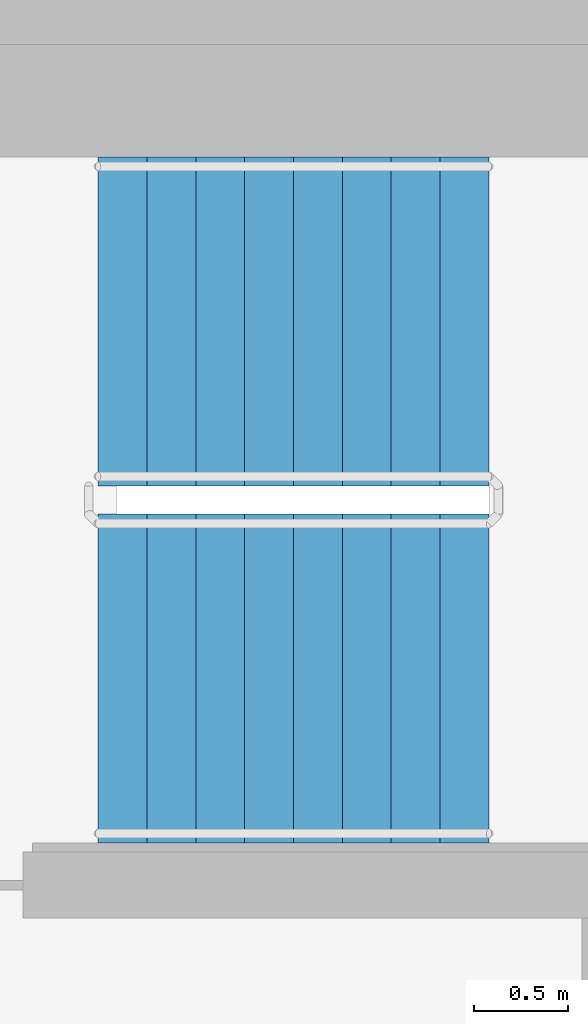
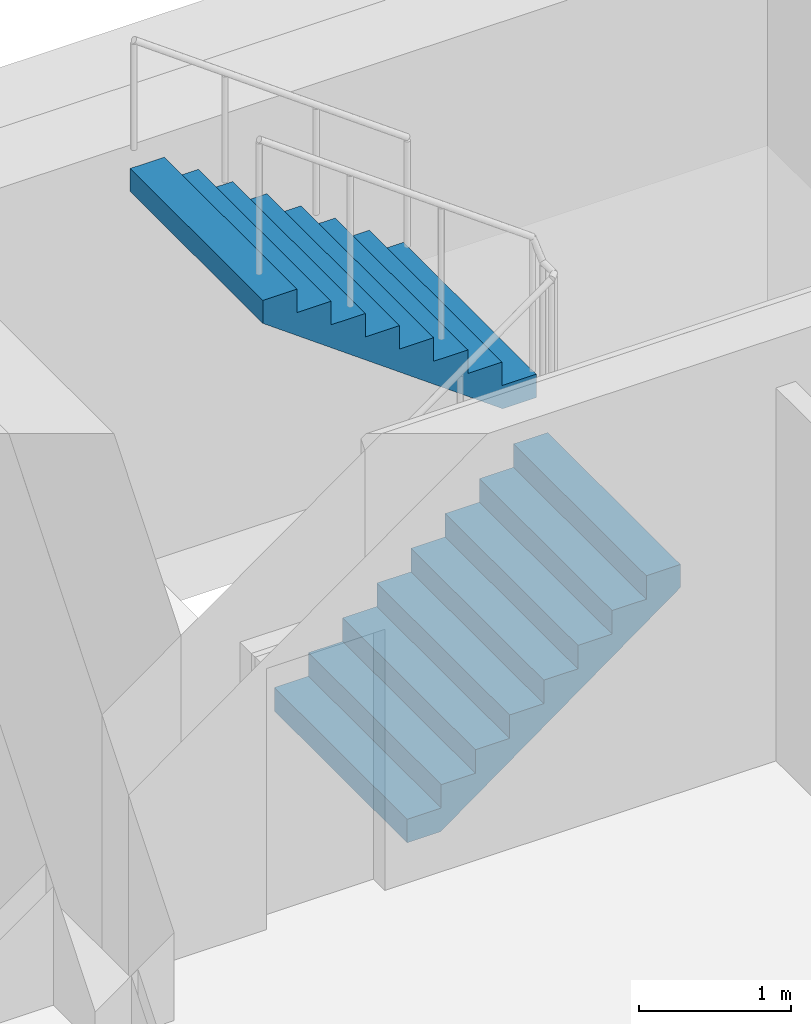
# One storey, part 13 of 18: 2 stair flights, 1 element without a shape of its own.
"""IFC4 building model written with IfcOpenShell, lengths in metres."""

from ifc_helpers import new_model, si_unit, direction, frame, origin, place, context, subcontext, project, spatial, faceted_brep, material, type_object, element, aggregate, save


model = new_model("IFC4")

# Units and contexts
model_context = context("Model", 3, precision=1e-05, world=origin(), true_north=direction((0.0, 1.0)))
body_context = subcontext(model_context, "Body", "Model", "MODEL_VIEW")
ifc_project = project(units=[si_unit("LENGTHUNIT", "METRE"), si_unit("AREAUNIT", "SQUARE_METRE"), si_unit("VOLUMEUNIT", "CUBIC_METRE"), si_unit("PLANEANGLEUNIT", "RADIAN"), si_unit("MASSUNIT", "GRAM", prefix="KILO")], contexts=[model_context])

# Site, building, storey
site_placement = place(None, origin())
site = spatial("IfcSite", under=ifc_project, at=site_placement, CompositionType="ELEMENT")
building_placement = place(site_placement, origin())
building = spatial("IfcBuilding", under=site, at=building_placement, Name="Ipe Terrace Towers", CompositionType="ELEMENT")
storey_placement = place(building_placement, frame((0.0, 0.0, 196.0)))
storey = spatial("IfcBuildingStorey", under=building, at=storey_placement, Name="L54", CompositionType="ELEMENT", Elevation=196.0)

# Stair, stair flights
ifc_material_1 = material(Name="Concrete C30/37", Category="concrete")
stair_type = type_object("IfcStairType", Name="Protected exit stair", PredefinedType="HALF_TURN_STAIR", material=ifc_material_1)
stair_placement = place(storey_placement, origin())
stair = element("IfcStair", 1, at=stair_placement, inside=storey, type_object=stair_type, Name="L54 Exit stair T1-C1", PredefinedType="HALF_TURN_STAIR")
ifc_material_2 = material(Name="Concrete C30/37", Category="concrete")
stair_flight_type = type_object("IfcStairFlightType", Name="Exit stair flight 1750", PredefinedType="STRAIGHT", material=ifc_material_2)
stair_flight_1_placement = place(storey_placement, frame((-26.300048828125, 2.77490234375, 0.0), z_axis=(0.0, 0.0, 1.0), x_axis=(1.0, 0.0, 0.0)))
stair_flight_1 = element("IfcStairFlight", 2, at=stair_flight_1_placement, type_object=stair_flight_type, Name="T1-ST1 flight 1", NumberOfRisers=9, NumberOfTreads=8, PredefinedType="STRAIGHT", RiserHeight=0.188888889, TreadLength=0.26, context=body_context, shape_type="Brep", body=[
    faceted_brep([(0.255126953125, -0.875, 0.0), (2.080078125, -0.875, 1.325927734375), (2.080078125, -0.875, 1.51123046875), (1.820068359375, -0.875, 1.51123046875), (1.820068359375, -0.875, 1.322265625), (1.56005859375, -0.875, 1.322265625), (1.56005859375, -0.875, 1.13330078125), (1.300048828125, -0.875, 1.13330078125), (1.300048828125, -0.875, 0.9443359375), (1.0400390625, -0.875, 0.9443359375), (1.0400390625, -0.875, 0.755615234375), (0.780029296875, -0.875, 0.755615234375), (0.780029296875, -0.875, 0.566650390625), (0.52001953125, -0.875, 0.566650390625), (0.52001953125, -0.875, 0.377685546875), (0.260009765625, -0.875, 0.377685546875), (0.260009765625, -0.875, 0.18896484375), (0.0, -0.875, 0.18896484375), (0.0, -0.875, 0.0), (0.0, 0.875, 0.0), (0.0, 0.875, 0.18896484375), (0.260009765625, 0.875, 0.18896484375), (0.260009765625, 0.875, 0.377685546875), (0.52001953125, 0.875, 0.377685546875), (0.52001953125, 0.875, 0.566650390625), (0.780029296875, 0.875, 0.566650390625), (0.780029296875, 0.875, 0.755615234375), (1.0400390625, 0.875, 0.755615234375), (1.0400390625, 0.875, 0.9443359375), (1.300048828125, 0.875, 0.9443359375), (1.300048828125, 0.875, 1.13330078125), (1.56005859375, 0.875, 1.13330078125), (1.56005859375, 0.875, 1.322265625), (1.820068359375, 0.875, 1.322265625), (1.820068359375, 0.875, 1.51123046875), (2.080078125, 0.875, 1.51123046875), (2.080078125, 0.875, 1.325927734375), (0.255126953125, 0.875, 0.0), (0.0, -0.300048828125, 0.18896484375), (0.0, -0.1201171875, 0.18896484375), (0.0, -0.06005859375, 0.18896484375), (0.0, -0.030029296875, 0.18896484375), (0.0, -0.010009765625, 0.18896484375), (0.0, 0.0, 0.18896484375), (0.0, 0.010009765625, 0.18896484375), (0.0, 0.030029296875, 0.18896484375), (0.0, 0.06005859375, 0.18896484375), (0.0, 0.1201171875, 0.18896484375), (0.0, 0.300048828125, 0.18896484375), (0.0, 0.300048828125, 0.0), (0.0, 0.1201171875, 0.0), (0.0, 0.06005859375, 0.0), (0.0, 0.030029296875, 0.0), (0.0, 0.010009765625, 0.0), (0.0, 0.0, 0.0), (0.0, -0.010009765625, 0.0), (0.0, -0.030029296875, 0.0), (0.0, -0.06005859375, 0.0), (0.0, -0.1201171875, 0.0), (0.0, -0.300048828125, 0.0), (0.260009765625, -0.300048828125, 0.18896484375), (0.260009765625, -0.1201171875, 0.18896484375), (0.260009765625, -0.06005859375, 0.18896484375), (0.260009765625, -0.030029296875, 0.18896484375), (0.260009765625, -0.010009765625, 0.18896484375), (0.260009765625, 0.0, 0.18896484375), (0.260009765625, 0.010009765625, 0.18896484375), (0.260009765625, 0.030029296875, 0.18896484375), (0.260009765625, 0.06005859375, 0.18896484375), (0.260009765625, 0.1201171875, 0.18896484375), (0.260009765625, 0.300048828125, 0.18896484375), (0.260009765625, -0.300048828125, 0.377685546875), (0.260009765625, -0.1201171875, 0.377685546875), (0.260009765625, -0.06005859375, 0.377685546875), (0.260009765625, -0.030029296875, 0.377685546875), (0.260009765625, -0.010009765625, 0.377685546875), (0.260009765625, 0.0, 0.377685546875), (0.260009765625, 0.010009765625, 0.377685546875), (0.260009765625, 0.030029296875, 0.377685546875), (0.260009765625, 0.06005859375, 0.377685546875), (0.260009765625, 0.1201171875, 0.377685546875), (0.260009765625, 0.300048828125, 0.377685546875), (0.52001953125, -0.300048828125, 0.377685546875), (0.52001953125, -0.1201171875, 0.377685546875), (0.52001953125, -0.06005859375, 0.377685546875), (0.52001953125, -0.030029296875, 0.377685546875), (0.52001953125, -0.010009765625, 0.377685546875), (0.52001953125, 0.0, 0.377685546875), (0.52001953125, 0.010009765625, 0.377685546875), (0.52001953125, 0.030029296875, 0.377685546875), (0.52001953125, 0.06005859375, 0.377685546875), (0.52001953125, 0.1201171875, 0.377685546875), (0.52001953125, 0.300048828125, 0.377685546875), (0.52001953125, -0.300048828125, 0.566650390625), (0.52001953125, -0.1201171875, 0.566650390625), (0.52001953125, -0.06005859375, 0.566650390625), (0.52001953125, -0.030029296875, 0.566650390625), (0.52001953125, -0.010009765625, 0.566650390625), (0.52001953125, 0.0, 0.566650390625), (0.52001953125, 0.010009765625, 0.566650390625), (0.52001953125, 0.030029296875, 0.566650390625), (0.52001953125, 0.06005859375, 0.566650390625), (0.52001953125, 0.1201171875, 0.566650390625), (0.52001953125, 0.300048828125, 0.566650390625), (0.780029296875, -0.300048828125, 0.566650390625), (0.780029296875, -0.1201171875, 0.566650390625), (0.780029296875, -0.06005859375, 0.566650390625), (0.780029296875, -0.030029296875, 0.566650390625), (0.780029296875, -0.010009765625, 0.566650390625), (0.780029296875, 0.0, 0.566650390625), (0.780029296875, 0.010009765625, 0.566650390625), (0.780029296875, 0.030029296875, 0.566650390625), (0.780029296875, 0.06005859375, 0.566650390625), (0.780029296875, 0.1201171875, 0.566650390625), (0.780029296875, 0.300048828125, 0.566650390625), (0.780029296875, -0.300048828125, 0.755615234375), (0.780029296875, -0.1201171875, 0.755615234375), (0.780029296875, -0.06005859375, 0.755615234375), (0.780029296875, -0.030029296875, 0.755615234375), (0.780029296875, -0.010009765625, 0.755615234375), (0.780029296875, 0.0, 0.755615234375), (0.780029296875, 0.010009765625, 0.755615234375), (0.780029296875, 0.030029296875, 0.755615234375), (0.780029296875, 0.06005859375, 0.755615234375), (0.780029296875, 0.1201171875, 0.755615234375), (0.780029296875, 0.300048828125, 0.755615234375), (1.0400390625, -0.300048828125, 0.755615234375), (1.0400390625, -0.1201171875, 0.755615234375), (1.0400390625, -0.06005859375, 0.755615234375), (1.0400390625, -0.030029296875, 0.755615234375), (1.0400390625, -0.010009765625, 0.755615234375), (1.0400390625, 0.0, 0.755615234375), (1.0400390625, 0.010009765625, 0.755615234375), (1.0400390625, 0.030029296875, 0.755615234375), (1.0400390625, 0.06005859375, 0.755615234375), (1.0400390625, 0.1201171875, 0.755615234375), (1.0400390625, 0.300048828125, 0.755615234375), (1.0400390625, -0.300048828125, 0.9443359375), (1.0400390625, -0.1201171875, 0.9443359375), (1.0400390625, -0.06005859375, 0.9443359375), (1.0400390625, -0.030029296875, 0.9443359375), (1.0400390625, -0.010009765625, 0.9443359375), (1.0400390625, 0.0, 0.9443359375), (1.0400390625, 0.010009765625, 0.9443359375), (1.0400390625, 0.030029296875, 0.9443359375), (1.0400390625, 0.06005859375, 0.9443359375), (1.0400390625, 0.1201171875, 0.9443359375), (1.0400390625, 0.300048828125, 0.9443359375), (1.300048828125, -0.300048828125, 0.9443359375), (1.300048828125, -0.1201171875, 0.9443359375), (1.300048828125, -0.06005859375, 0.9443359375), (1.300048828125, -0.030029296875, 0.9443359375), (1.300048828125, -0.010009765625, 0.9443359375), (1.300048828125, 0.0, 0.9443359375), (1.300048828125, 0.010009765625, 0.9443359375), (1.300048828125, 0.030029296875, 0.9443359375), (1.300048828125, 0.06005859375, 0.9443359375), (1.300048828125, 0.1201171875, 0.9443359375), (1.300048828125, 0.300048828125, 0.9443359375), (1.300048828125, -0.300048828125, 1.13330078125), (1.300048828125, -0.1201171875, 1.13330078125), (1.300048828125, -0.06005859375, 1.13330078125), (1.300048828125, -0.030029296875, 1.13330078125), (1.300048828125, -0.010009765625, 1.13330078125), (1.300048828125, 0.0, 1.13330078125), (1.300048828125, 0.010009765625, 1.13330078125), (1.300048828125, 0.030029296875, 1.13330078125), (1.300048828125, 0.06005859375, 1.13330078125), (1.300048828125, 0.1201171875, 1.13330078125), (1.300048828125, 0.300048828125, 1.13330078125), (1.56005859375, -0.300048828125, 1.13330078125), (1.56005859375, -0.1201171875, 1.13330078125), (1.56005859375, -0.06005859375, 1.13330078125), (1.56005859375, -0.030029296875, 1.13330078125), (1.56005859375, -0.010009765625, 1.13330078125), (1.56005859375, 0.0, 1.13330078125), (1.56005859375, 0.010009765625, 1.13330078125), (1.56005859375, 0.030029296875, 1.13330078125), (1.56005859375, 0.06005859375, 1.13330078125), (1.56005859375, 0.1201171875, 1.13330078125), (1.56005859375, 0.300048828125, 1.13330078125), (1.56005859375, -0.300048828125, 1.322265625), (1.56005859375, -0.1201171875, 1.322265625), (1.56005859375, -0.06005859375, 1.322265625), (1.56005859375, -0.030029296875, 1.322265625), (1.56005859375, -0.010009765625, 1.322265625), (1.56005859375, 0.0, 1.322265625), (1.56005859375, 0.010009765625, 1.322265625), (1.56005859375, 0.030029296875, 1.322265625), (1.56005859375, 0.06005859375, 1.322265625), (1.56005859375, 0.1201171875, 1.322265625), (1.56005859375, 0.300048828125, 1.322265625), (1.820068359375, -0.300048828125, 1.322265625), (1.820068359375, -0.1201171875, 1.322265625), (1.820068359375, -0.06005859375, 1.322265625), (1.820068359375, -0.030029296875, 1.322265625), (1.820068359375, -0.010009765625, 1.322265625), (1.820068359375, 0.0, 1.322265625), (1.820068359375, 0.010009765625, 1.322265625), (1.820068359375, 0.030029296875, 1.322265625), (1.820068359375, 0.06005859375, 1.322265625), (1.820068359375, 0.1201171875, 1.322265625), (1.820068359375, 0.300048828125, 1.322265625), (1.820068359375, -0.300048828125, 1.51123046875), (1.820068359375, -0.1201171875, 1.51123046875), (1.820068359375, -0.06005859375, 1.51123046875), (1.820068359375, -0.030029296875, 1.51123046875), (1.820068359375, -0.010009765625, 1.51123046875), (1.820068359375, 0.0, 1.51123046875), (1.820068359375, 0.010009765625, 1.51123046875), (1.820068359375, 0.030029296875, 1.51123046875), (1.820068359375, 0.06005859375, 1.51123046875), (1.820068359375, 0.1201171875, 1.51123046875), (1.820068359375, 0.300048828125, 1.51123046875), (2.080078125, -0.300048828125, 1.51123046875), (2.080078125, -0.1201171875, 1.51123046875), (2.080078125, -0.06005859375, 1.51123046875), (2.080078125, -0.030029296875, 1.51123046875), (2.080078125, -0.010009765625, 1.51123046875), (2.080078125, 0.0, 1.51123046875), (2.080078125, 0.010009765625, 1.51123046875), (2.080078125, 0.030029296875, 1.51123046875), (2.080078125, 0.06005859375, 1.51123046875), (2.080078125, 0.1201171875, 1.51123046875), (2.080078125, 0.300048828125, 1.51123046875), (2.080078125, -0.300048828125, 1.325927734375), (2.080078125, -0.1201171875, 1.325927734375), (2.080078125, -0.06005859375, 1.325927734375), (2.080078125, -0.030029296875, 1.325927734375), (2.080078125, -0.010009765625, 1.325927734375), (2.080078125, 0.0, 1.325927734375), (2.080078125, 0.010009765625, 1.325927734375), (2.080078125, 0.030029296875, 1.325927734375), (2.080078125, 0.06005859375, 1.325927734375), (2.080078125, 0.1201171875, 1.325927734375), (2.080078125, 0.300048828125, 1.325927734375), (0.255126953125, -0.300048828125, 0.0), (0.255126953125, -0.1201171875, 0.0), (0.255126953125, -0.06005859375, 0.0), (0.255126953125, -0.030029296875, 0.0), (0.255126953125, -0.010009765625, 0.0), (0.255126953125, 0.0, 0.0), (0.255126953125, 0.010009765625, 0.0), (0.255126953125, 0.030029296875, 0.0), (0.255126953125, 0.06005859375, 0.0), (0.255126953125, 0.1201171875, 0.0), (0.255126953125, 0.300048828125, 0.0)], [[[0, 1, 2, 3, 4, 5, 6, 7, 8, 9, 10, 11, 12, 13, 14, 15, 16, 17, 18]], [[19, 20, 21, 22, 23, 24, 25, 26, 27, 28, 29, 30, 31, 32, 33, 34, 35, 36, 37]], [[17, 38, 39, 40, 41, 42, 43, 44, 45, 46, 47, 48, 20, 19, 49, 50, 51, 52, 53, 54, 55, 56, 57, 58, 59, 18]], [[16, 60, 61, 62, 63, 64, 65, 66, 67, 68, 69, 70, 21, 20, 48, 47, 46, 45, 44, 43, 42, 41, 40, 39, 38, 17]], [[15, 71, 72, 73, 74, 75, 76, 77, 78, 79, 80, 81, 22, 21, 70, 69, 68, 67, 66, 65, 64, 63, 62, 61, 60, 16]], [[14, 82, 83, 84, 85, 86, 87, 88, 89, 90, 91, 92, 23, 22, 81, 80, 79, 78, 77, 76, 75, 74, 73, 72, 71, 15]], [[13, 93, 94, 95, 96, 97, 98, 99, 100, 101, 102, 103, 24, 23, 92, 91, 90, 89, 88, 87, 86, 85, 84, 83, 82, 14]], [[12, 104, 105, 106, 107, 108, 109, 110, 111, 112, 113, 114, 25, 24, 103, 102, 101, 100, 99, 98, 97, 96, 95, 94, 93, 13]], [[11, 115, 116, 117, 118, 119, 120, 121, 122, 123, 124, 125, 26, 25, 114, 113, 112, 111, 110, 109, 108, 107, 106, 105, 104, 12]], [[10, 126, 127, 128, 129, 130, 131, 132, 133, 134, 135, 136, 27, 26, 125, 124, 123, 122, 121, 120, 119, 118, 117, 116, 115, 11]], [[9, 137, 138, 139, 140, 141, 142, 143, 144, 145, 146, 147, 28, 27, 136, 135, 134, 133, 132, 131, 130, 129, 128, 127, 126, 10]], [[8, 148, 149, 150, 151, 152, 153, 154, 155, 156, 157, 158, 29, 28, 147, 146, 145, 144, 143, 142, 141, 140, 139, 138, 137, 9]], [[7, 159, 160, 161, 162, 163, 164, 165, 166, 167, 168, 169, 30, 29, 158, 157, 156, 155, 154, 153, 152, 151, 150, 149, 148, 8]], [[6, 170, 171, 172, 173, 174, 175, 176, 177, 178, 179, 180, 31, 30, 169, 168, 167, 166, 165, 164, 163, 162, 161, 160, 159, 7]], [[5, 181, 182, 183, 184, 185, 186, 187, 188, 189, 190, 191, 32, 31, 180, 179, 178, 177, 176, 175, 174, 173, 172, 171, 170, 6]], [[4, 192, 193, 194, 195, 196, 197, 198, 199, 200, 201, 202, 33, 32, 191, 190, 189, 188, 187, 186, 185, 184, 183, 182, 181, 5]], [[3, 203, 204, 205, 206, 207, 208, 209, 210, 211, 212, 213, 34, 33, 202, 201, 200, 199, 198, 197, 196, 195, 194, 193, 192, 4]], [[2, 214, 215, 216, 217, 218, 219, 220, 221, 222, 223, 224, 35, 34, 213, 212, 211, 210, 209, 208, 207, 206, 205, 204, 203, 3]], [[1, 225, 226, 227, 228, 229, 230, 231, 232, 233, 234, 235, 36, 35, 224, 223, 222, 221, 220, 219, 218, 217, 216, 215, 214, 2]], [[0, 236, 237, 238, 239, 240, 241, 242, 243, 244, 245, 246, 37, 36, 235, 234, 233, 232, 231, 230, 229, 228, 227, 226, 225, 1]], [[18, 59, 58, 57, 56, 55, 54, 53, 52, 51, 50, 49, 19, 37, 246, 245, 244, 243, 242, 241, 240, 239, 238, 237, 236, 0]]]),
])
stair_flight_2_placement = place(storey_placement, frame((-24.219970703125, 4.675048828125, 1.699951171875), z_axis=(0.0, 0.0, 1.0), x_axis=(-1.0, 0.0, 0.0)))
stair_flight_2 = element("IfcStairFlight", 3, at=stair_flight_2_placement, type_object=stair_flight_type, Name="T1-ST1 flight 2", NumberOfRisers=9, NumberOfTreads=8, PredefinedType="STRAIGHT", RiserHeight=0.188888889, TreadLength=0.26, context=body_context, shape_type="Brep", body=[
    faceted_brep([(0.255126953125, -0.875, 0.0), (2.080078125, -0.875, 1.325927734375), (2.080078125, -0.875, 1.51123046875), (1.820068359375, -0.875, 1.51123046875), (1.820068359375, -0.875, 1.322265625), (1.56005859375, -0.875, 1.322265625), (1.56005859375, -0.875, 1.13330078125), (1.300048828125, -0.875, 1.13330078125), (1.300048828125, -0.875, 0.9443359375), (1.0400390625, -0.875, 0.9443359375), (1.0400390625, -0.875, 0.755615234375), (0.780029296875, -0.875, 0.755615234375), (0.780029296875, -0.875, 0.566650390625), (0.52001953125, -0.875, 0.566650390625), (0.52001953125, -0.875, 0.377685546875), (0.260009765625, -0.875, 0.377685546875), (0.260009765625, -0.875, 0.18896484375), (0.0, -0.875, 0.18896484375), (0.0, -0.875, 0.0), (0.0, 0.875, 0.0), (0.0, 0.875, 0.18896484375), (0.260009765625, 0.875, 0.18896484375), (0.260009765625, 0.875, 0.377685546875), (0.52001953125, 0.875, 0.377685546875), (0.52001953125, 0.875, 0.566650390625), (0.780029296875, 0.875, 0.566650390625), (0.780029296875, 0.875, 0.755615234375), (1.0400390625, 0.875, 0.755615234375), (1.0400390625, 0.875, 0.9443359375), (1.300048828125, 0.875, 0.9443359375), (1.300048828125, 0.875, 1.13330078125), (1.56005859375, 0.875, 1.13330078125), (1.56005859375, 0.875, 1.322265625), (1.820068359375, 0.875, 1.322265625), (1.820068359375, 0.875, 1.51123046875), (2.080078125, 0.875, 1.51123046875), (2.080078125, 0.875, 1.325927734375), (0.255126953125, 0.875, 0.0), (0.0, -0.300048828125, 0.18896484375), (0.0, -0.1201171875, 0.18896484375), (0.0, -0.06005859375, 0.18896484375), (0.0, -0.030029296875, 0.18896484375), (0.0, -0.010009765625, 0.18896484375), (0.0, 0.0, 0.18896484375), (0.0, 0.010009765625, 0.18896484375), (0.0, 0.030029296875, 0.18896484375), (0.0, 0.06005859375, 0.18896484375), (0.0, 0.1201171875, 0.18896484375), (0.0, 0.300048828125, 0.18896484375), (0.0, 0.300048828125, 0.0), (0.0, 0.1201171875, 0.0), (0.0, 0.06005859375, 0.0), (0.0, 0.030029296875, 0.0), (0.0, 0.010009765625, 0.0), (0.0, 0.0, 0.0), (0.0, -0.010009765625, 0.0), (0.0, -0.030029296875, 0.0), (0.0, -0.06005859375, 0.0), (0.0, -0.1201171875, 0.0), (0.0, -0.300048828125, 0.0), (0.260009765625, -0.300048828125, 0.18896484375), (0.260009765625, -0.1201171875, 0.18896484375), (0.260009765625, -0.06005859375, 0.18896484375), (0.260009765625, -0.030029296875, 0.18896484375), (0.260009765625, -0.010009765625, 0.18896484375), (0.260009765625, 0.0, 0.18896484375), (0.260009765625, 0.010009765625, 0.18896484375), (0.260009765625, 0.030029296875, 0.18896484375), (0.260009765625, 0.06005859375, 0.18896484375), (0.260009765625, 0.1201171875, 0.18896484375), (0.260009765625, 0.300048828125, 0.18896484375), (0.260009765625, -0.300048828125, 0.377685546875), (0.260009765625, -0.1201171875, 0.377685546875), (0.260009765625, -0.06005859375, 0.377685546875), (0.260009765625, -0.030029296875, 0.377685546875), (0.260009765625, -0.010009765625, 0.377685546875), (0.260009765625, 0.0, 0.377685546875), (0.260009765625, 0.010009765625, 0.377685546875), (0.260009765625, 0.030029296875, 0.377685546875), (0.260009765625, 0.06005859375, 0.377685546875), (0.260009765625, 0.1201171875, 0.377685546875), (0.260009765625, 0.300048828125, 0.377685546875), (0.52001953125, -0.300048828125, 0.377685546875), (0.52001953125, -0.1201171875, 0.377685546875), (0.52001953125, -0.06005859375, 0.377685546875), (0.52001953125, -0.030029296875, 0.377685546875), (0.52001953125, -0.010009765625, 0.377685546875), (0.52001953125, 0.0, 0.377685546875), (0.52001953125, 0.010009765625, 0.377685546875), (0.52001953125, 0.030029296875, 0.377685546875), (0.52001953125, 0.06005859375, 0.377685546875), (0.52001953125, 0.1201171875, 0.377685546875), (0.52001953125, 0.300048828125, 0.377685546875), (0.52001953125, -0.300048828125, 0.566650390625), (0.52001953125, -0.1201171875, 0.566650390625), (0.52001953125, -0.06005859375, 0.566650390625), (0.52001953125, -0.030029296875, 0.566650390625), (0.52001953125, -0.010009765625, 0.566650390625), (0.52001953125, 0.0, 0.566650390625), (0.52001953125, 0.010009765625, 0.566650390625), (0.52001953125, 0.030029296875, 0.566650390625), (0.52001953125, 0.06005859375, 0.566650390625), (0.52001953125, 0.1201171875, 0.566650390625), (0.52001953125, 0.300048828125, 0.566650390625), (0.780029296875, -0.300048828125, 0.566650390625), (0.780029296875, -0.1201171875, 0.566650390625), (0.780029296875, -0.06005859375, 0.566650390625), (0.780029296875, -0.030029296875, 0.566650390625), (0.780029296875, -0.010009765625, 0.566650390625), (0.780029296875, 0.0, 0.566650390625), (0.780029296875, 0.010009765625, 0.566650390625), (0.780029296875, 0.030029296875, 0.566650390625), (0.780029296875, 0.06005859375, 0.566650390625), (0.780029296875, 0.1201171875, 0.566650390625), (0.780029296875, 0.300048828125, 0.566650390625), (0.780029296875, -0.300048828125, 0.755615234375), (0.780029296875, -0.1201171875, 0.755615234375), (0.780029296875, -0.06005859375, 0.755615234375), (0.780029296875, -0.030029296875, 0.755615234375), (0.780029296875, -0.010009765625, 0.755615234375), (0.780029296875, 0.0, 0.755615234375), (0.780029296875, 0.010009765625, 0.755615234375), (0.780029296875, 0.030029296875, 0.755615234375), (0.780029296875, 0.06005859375, 0.755615234375), (0.780029296875, 0.1201171875, 0.755615234375), (0.780029296875, 0.300048828125, 0.755615234375), (1.0400390625, -0.300048828125, 0.755615234375), (1.0400390625, -0.1201171875, 0.755615234375), (1.0400390625, -0.06005859375, 0.755615234375), (1.0400390625, -0.030029296875, 0.755615234375), (1.0400390625, -0.010009765625, 0.755615234375), (1.0400390625, 0.0, 0.755615234375), (1.0400390625, 0.010009765625, 0.755615234375), (1.0400390625, 0.030029296875, 0.755615234375), (1.0400390625, 0.06005859375, 0.755615234375), (1.0400390625, 0.1201171875, 0.755615234375), (1.0400390625, 0.300048828125, 0.755615234375), (1.0400390625, -0.300048828125, 0.9443359375), (1.0400390625, -0.1201171875, 0.9443359375), (1.0400390625, -0.06005859375, 0.9443359375), (1.0400390625, -0.030029296875, 0.9443359375), (1.0400390625, -0.010009765625, 0.9443359375), (1.0400390625, 0.0, 0.9443359375), (1.0400390625, 0.010009765625, 0.9443359375), (1.0400390625, 0.030029296875, 0.9443359375), (1.0400390625, 0.06005859375, 0.9443359375), (1.0400390625, 0.1201171875, 0.9443359375), (1.0400390625, 0.300048828125, 0.9443359375), (1.300048828125, -0.300048828125, 0.9443359375), (1.300048828125, -0.1201171875, 0.9443359375), (1.300048828125, -0.06005859375, 0.9443359375), (1.300048828125, -0.030029296875, 0.9443359375), (1.300048828125, -0.010009765625, 0.9443359375), (1.300048828125, 0.0, 0.9443359375), (1.300048828125, 0.010009765625, 0.9443359375), (1.300048828125, 0.030029296875, 0.9443359375), (1.300048828125, 0.06005859375, 0.9443359375), (1.300048828125, 0.1201171875, 0.9443359375), (1.300048828125, 0.300048828125, 0.9443359375), (1.300048828125, -0.300048828125, 1.13330078125), (1.300048828125, -0.1201171875, 1.13330078125), (1.300048828125, -0.06005859375, 1.13330078125), (1.300048828125, -0.030029296875, 1.13330078125), (1.300048828125, -0.010009765625, 1.13330078125), (1.300048828125, 0.0, 1.13330078125), (1.300048828125, 0.010009765625, 1.13330078125), (1.300048828125, 0.030029296875, 1.13330078125), (1.300048828125, 0.06005859375, 1.13330078125), (1.300048828125, 0.1201171875, 1.13330078125), (1.300048828125, 0.300048828125, 1.13330078125), (1.56005859375, -0.300048828125, 1.13330078125), (1.56005859375, -0.1201171875, 1.13330078125), (1.56005859375, -0.06005859375, 1.13330078125), (1.56005859375, -0.030029296875, 1.13330078125), (1.56005859375, -0.010009765625, 1.13330078125), (1.56005859375, 0.0, 1.13330078125), (1.56005859375, 0.010009765625, 1.13330078125), (1.56005859375, 0.030029296875, 1.13330078125), (1.56005859375, 0.06005859375, 1.13330078125), (1.56005859375, 0.1201171875, 1.13330078125), (1.56005859375, 0.300048828125, 1.13330078125), (1.56005859375, -0.300048828125, 1.322265625), (1.56005859375, -0.1201171875, 1.322265625), (1.56005859375, -0.06005859375, 1.322265625), (1.56005859375, -0.030029296875, 1.322265625), (1.56005859375, -0.010009765625, 1.322265625), (1.56005859375, 0.0, 1.322265625), (1.56005859375, 0.010009765625, 1.322265625), (1.56005859375, 0.030029296875, 1.322265625), (1.56005859375, 0.06005859375, 1.322265625), (1.56005859375, 0.1201171875, 1.322265625), (1.56005859375, 0.300048828125, 1.322265625), (1.820068359375, -0.300048828125, 1.322265625), (1.820068359375, -0.1201171875, 1.322265625), (1.820068359375, -0.06005859375, 1.322265625), (1.820068359375, -0.030029296875, 1.322265625), (1.820068359375, -0.010009765625, 1.322265625), (1.820068359375, 0.0, 1.322265625), (1.820068359375, 0.010009765625, 1.322265625), (1.820068359375, 0.030029296875, 1.322265625), (1.820068359375, 0.06005859375, 1.322265625), (1.820068359375, 0.1201171875, 1.322265625), (1.820068359375, 0.300048828125, 1.322265625), (1.820068359375, -0.300048828125, 1.51123046875), (1.820068359375, -0.1201171875, 1.51123046875), (1.820068359375, -0.06005859375, 1.51123046875), (1.820068359375, -0.030029296875, 1.51123046875), (1.820068359375, -0.010009765625, 1.51123046875), (1.820068359375, 0.0, 1.51123046875), (1.820068359375, 0.010009765625, 1.51123046875), (1.820068359375, 0.030029296875, 1.51123046875), (1.820068359375, 0.06005859375, 1.51123046875), (1.820068359375, 0.1201171875, 1.51123046875), (1.820068359375, 0.300048828125, 1.51123046875), (2.080078125, -0.300048828125, 1.51123046875), (2.080078125, -0.1201171875, 1.51123046875), (2.080078125, -0.06005859375, 1.51123046875), (2.080078125, -0.030029296875, 1.51123046875), (2.080078125, -0.010009765625, 1.51123046875), (2.080078125, 0.0, 1.51123046875), (2.080078125, 0.010009765625, 1.51123046875), (2.080078125, 0.030029296875, 1.51123046875), (2.080078125, 0.06005859375, 1.51123046875), (2.080078125, 0.1201171875, 1.51123046875), (2.080078125, 0.300048828125, 1.51123046875), (2.080078125, -0.300048828125, 1.325927734375), (2.080078125, -0.1201171875, 1.325927734375), (2.080078125, -0.06005859375, 1.325927734375), (2.080078125, -0.030029296875, 1.325927734375), (2.080078125, -0.010009765625, 1.325927734375), (2.080078125, 0.0, 1.325927734375), (2.080078125, 0.010009765625, 1.325927734375), (2.080078125, 0.030029296875, 1.325927734375), (2.080078125, 0.06005859375, 1.325927734375), (2.080078125, 0.1201171875, 1.325927734375), (2.080078125, 0.300048828125, 1.325927734375), (0.255126953125, -0.300048828125, 0.0), (0.255126953125, -0.1201171875, 0.0), (0.255126953125, -0.06005859375, 0.0), (0.255126953125, -0.030029296875, 0.0), (0.255126953125, -0.010009765625, 0.0), (0.255126953125, 0.0, 0.0), (0.255126953125, 0.010009765625, 0.0), (0.255126953125, 0.030029296875, 0.0), (0.255126953125, 0.06005859375, 0.0), (0.255126953125, 0.1201171875, 0.0), (0.255126953125, 0.300048828125, 0.0)], [[[0, 1, 2, 3, 4, 5, 6, 7, 8, 9, 10, 11, 12, 13, 14, 15, 16, 17, 18]], [[19, 20, 21, 22, 23, 24, 25, 26, 27, 28, 29, 30, 31, 32, 33, 34, 35, 36, 37]], [[17, 38, 39, 40, 41, 42, 43, 44, 45, 46, 47, 48, 20, 19, 49, 50, 51, 52, 53, 54, 55, 56, 57, 58, 59, 18]], [[16, 60, 61, 62, 63, 64, 65, 66, 67, 68, 69, 70, 21, 20, 48, 47, 46, 45, 44, 43, 42, 41, 40, 39, 38, 17]], [[15, 71, 72, 73, 74, 75, 76, 77, 78, 79, 80, 81, 22, 21, 70, 69, 68, 67, 66, 65, 64, 63, 62, 61, 60, 16]], [[14, 82, 83, 84, 85, 86, 87, 88, 89, 90, 91, 92, 23, 22, 81, 80, 79, 78, 77, 76, 75, 74, 73, 72, 71, 15]], [[13, 93, 94, 95, 96, 97, 98, 99, 100, 101, 102, 103, 24, 23, 92, 91, 90, 89, 88, 87, 86, 85, 84, 83, 82, 14]], [[12, 104, 105, 106, 107, 108, 109, 110, 111, 112, 113, 114, 25, 24, 103, 102, 101, 100, 99, 98, 97, 96, 95, 94, 93, 13]], [[11, 115, 116, 117, 118, 119, 120, 121, 122, 123, 124, 125, 26, 25, 114, 113, 112, 111, 110, 109, 108, 107, 106, 105, 104, 12]], [[10, 126, 127, 128, 129, 130, 131, 132, 133, 134, 135, 136, 27, 26, 125, 124, 123, 122, 121, 120, 119, 118, 117, 116, 115, 11]], [[9, 137, 138, 139, 140, 141, 142, 143, 144, 145, 146, 147, 28, 27, 136, 135, 134, 133, 132, 131, 130, 129, 128, 127, 126, 10]], [[8, 148, 149, 150, 151, 152, 153, 154, 155, 156, 157, 158, 29, 28, 147, 146, 145, 144, 143, 142, 141, 140, 139, 138, 137, 9]], [[7, 159, 160, 161, 162, 163, 164, 165, 166, 167, 168, 169, 30, 29, 158, 157, 156, 155, 154, 153, 152, 151, 150, 149, 148, 8]], [[6, 170, 171, 172, 173, 174, 175, 176, 177, 178, 179, 180, 31, 30, 169, 168, 167, 166, 165, 164, 163, 162, 161, 160, 159, 7]], [[5, 181, 182, 183, 184, 185, 186, 187, 188, 189, 190, 191, 32, 31, 180, 179, 178, 177, 176, 175, 174, 173, 172, 171, 170, 6]], [[4, 192, 193, 194, 195, 196, 197, 198, 199, 200, 201, 202, 33, 32, 191, 190, 189, 188, 187, 186, 185, 184, 183, 182, 181, 5]], [[3, 203, 204, 205, 206, 207, 208, 209, 210, 211, 212, 213, 34, 33, 202, 201, 200, 199, 198, 197, 196, 195, 194, 193, 192, 4]], [[2, 214, 215, 216, 217, 218, 219, 220, 221, 222, 223, 224, 35, 34, 213, 212, 211, 210, 209, 208, 207, 206, 205, 204, 203, 3]], [[1, 225, 226, 227, 228, 229, 230, 231, 232, 233, 234, 235, 36, 35, 224, 223, 222, 221, 220, 219, 218, 217, 216, 215, 214, 2]], [[0, 236, 237, 238, 239, 240, 241, 242, 243, 244, 245, 246, 37, 36, 235, 234, 233, 232, 231, 230, 229, 228, 227, 226, 225, 1]], [[18, 59, 58, 57, 56, 55, 54, 53, 52, 51, 50, 49, 19, 37, 246, 245, 244, 243, 242, 241, 240, 239, 238, 237, 236, 0]]]),
])
aggregate(stair, [stair_flight_1, stair_flight_2])

save(model, "model.ifc")
